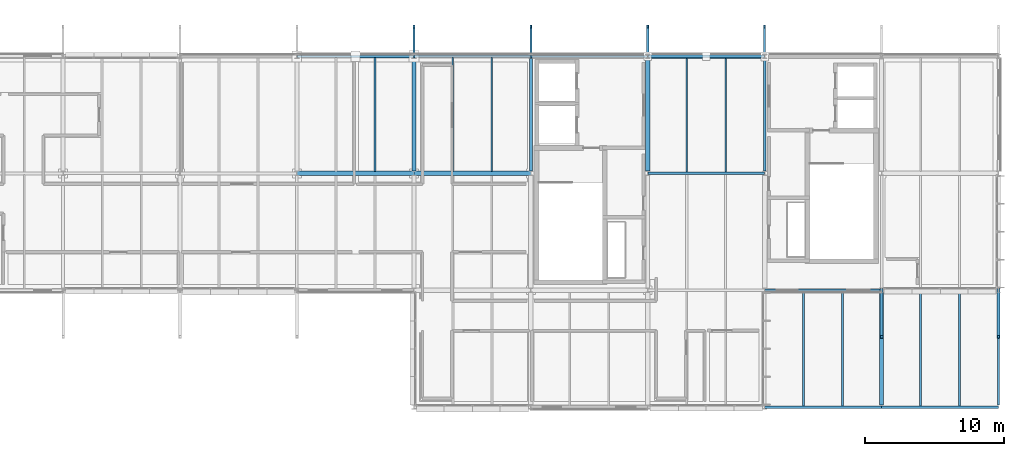
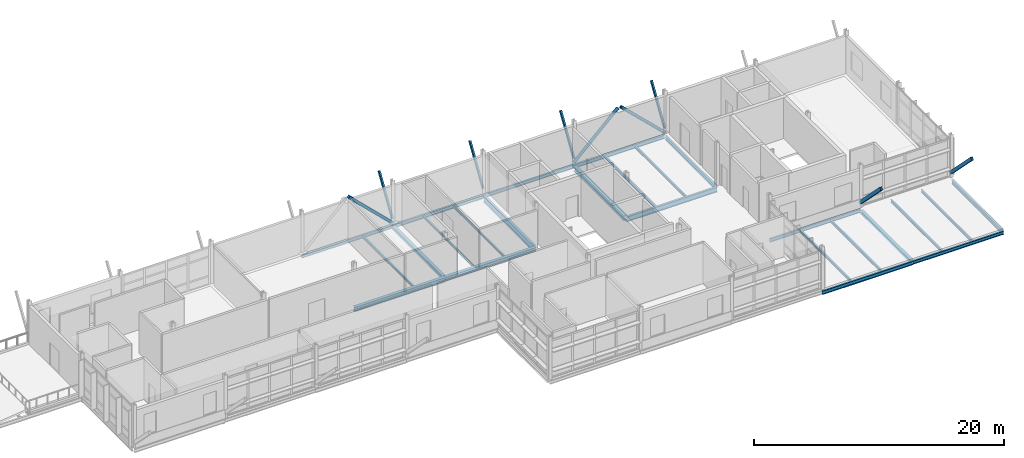
# One storey, part 23 of 35: 25 beams, 9 members.
"""IFC4 building model written with IfcOpenShell, lengths in metres."""

from ifc_helpers import new_model, si_unit, direction, frame, origin, origin_2d, place, context, subcontext, project, spatial, hollow_rectangle, hollow_circle, i_section, extrude, material, material_profile, profile_set, type_object, element, save


model = new_model("IFC4")

# Units and contexts
model_context = context("Model", 3, precision=1e-05, world=origin(), true_north=direction((0.0, 1.0)))
body_context = subcontext(model_context, "Body", "Model", "MODEL_VIEW")
ifc_project = project(units=[si_unit("LENGTHUNIT", "METRE"), si_unit("AREAUNIT", "SQUARE_METRE"), si_unit("VOLUMEUNIT", "CUBIC_METRE"), si_unit("PLANEANGLEUNIT", "RADIAN"), si_unit("MASSUNIT", "GRAM", prefix="KILO")], contexts=[model_context])

# Site, building, storey
site_placement = place(None, origin())
site = spatial("IfcSite", under=ifc_project, at=site_placement, CompositionType="ELEMENT")
building_placement = place(site_placement, origin())
building = spatial("IfcBuilding", under=site, at=building_placement, Name="Mersafa Astral City Hall", CompositionType="ELEMENT")
storey_placement = place(building_placement, frame((0.0, 0.0, 30.14990234375)))
storey = spatial("IfcBuildingStorey", under=building, at=storey_placement, Name="L07", CompositionType="ELEMENT", Elevation=30.14990234375)

# Beams
ifc_material = material(Name="Steel S355", Category="steel")
ifc_material_profile_1 = material_profile(ifc_material, i_section(OverallWidth=0.300048828125, OverallDepth=0.31005859375, WebThickness=0.009033203125, FlangeThickness=0.015380859375, FilletRadius=0.027099609375, at=origin_2d()), Name="HEA 320")
ifc_profile_set_1 = profile_set([ifc_material_profile_1], Name="Steel S355")
beam_type_1 = type_object("IfcBeamType", Name="STR-BM-HEA320", PredefinedType="BEAM", material=ifc_profile_set_1)
beam_1_placement = place(storey_placement, frame((142.800048828125, 117.764892578125, -0.329833984375), z_axis=(0.0, 1.0, 0.0), x_axis=(-1.0, 0.0, 0.0)))
element("IfcBeam", 1, at=beam_1_placement, inside=storey, type_object=beam_type_1, Name="L07 Primary girder Y 17-14", PredefinedType="BEAM", context=body_context, shape_type="SweptSolid", body=[
    extrude(i_section(OverallWidth=0.300048828125, OverallDepth=0.31005859375, WebThickness=0.009033203125, FlangeThickness=0.015380859375, FilletRadius=0.027099609375, at=origin_2d()), origin(), (0.0, 0.0, 1.0), 8.06005859375),
])
ifc_material_profile_2 = material_profile(ifc_material, i_section(OverallWidth=0.300048828125, OverallDepth=0.389892578125, WebThickness=0.010986328125, FlangeThickness=0.01904296875, FilletRadius=0.027099609375, at=origin_2d()), Name="HEA 400")
ifc_profile_set_2 = profile_set([ifc_material_profile_2], Name="Steel S355")
beam_type_2 = type_object("IfcBeamType", Name="STR-BM-HEA400", PredefinedType="BEAM", material=ifc_profile_set_2)
beam_2_placement = place(storey_placement, frame((142.802978515625, 117.60009765625, -0.369873046875), z_axis=(1.0, 0.0, 0.0), x_axis=(0.0, 1.0, 0.0)))
element("IfcBeam", 2, at=beam_2_placement, inside=storey, type_object=beam_type_2, Name="L07 Primary girder X 17-14", PredefinedType="BEAM", context=body_context, shape_type="SweptSolid", body=[
    extrude(i_section(OverallWidth=0.300048828125, OverallDepth=0.389892578125, WebThickness=0.010986328125, FlangeThickness=0.01904296875, FilletRadius=0.027099609375, at=origin_2d()), origin(), (0.0, 0.0, 1.0), 8.39404296875),
])
ifc_material_profile_3 = material_profile(ifc_material, i_section(OverallWidth=0.300048828125, OverallDepth=0.43994140625, WebThickness=0.011474609375, FlangeThickness=0.02099609375, FilletRadius=0.027099609375, at=origin_2d()), Name="HEA 450")
ifc_profile_set_3 = profile_set([ifc_material_profile_3], Name="Steel S355")
beam_type_3 = type_object("IfcBeamType", Name="STR-BM-HEA450", PredefinedType="BEAM", material=ifc_profile_set_3)
beam_3_placement = place(storey_placement, frame((134.403076171875, 117.60009765625, -0.39501953125), z_axis=(1.0, 0.0, 0.0), x_axis=(0.0, 1.0, 0.0)))
element("IfcBeam", 3, at=beam_3_placement, inside=storey, type_object=beam_type_3, Name="L07 Primary girder X 16-14", PredefinedType="BEAM", context=body_context, shape_type="SweptSolid", body=[
    extrude(i_section(OverallWidth=0.300048828125, OverallDepth=0.43994140625, WebThickness=0.011474609375, FlangeThickness=0.02099609375, FilletRadius=0.027099609375, at=origin_2d()), origin(), (0.0, 0.0, 1.0), 8.39404296875),
])
ifc_material_profile_4 = material_profile(ifc_material, i_section(OverallWidth=0.300048828125, OverallDepth=0.489990234375, WebThickness=0.011962890625, FlangeThickness=0.02294921875, FilletRadius=0.027099609375, at=origin_2d()), Name="HEA 500")
ifc_profile_set_4 = profile_set([ifc_material_profile_4], Name="Steel S355")
beam_type_4 = type_object("IfcBeamType", Name="STR-BM-HEA500", PredefinedType="BEAM", material=ifc_profile_set_4)
beam_4_placement = place(storey_placement, frame((159.60009765625, 117.764892578125, -0.419921875), z_axis=(0.0, 1.0, 0.0), x_axis=(-1.0, 0.0, 0.0)))
element("IfcBeam", 4, at=beam_4_placement, inside=storey, type_object=beam_type_4, Name="L07 Primary girder Y 19-14", PredefinedType="BEAM", context=body_context, shape_type="SweptSolid", body=[
    extrude(i_section(OverallWidth=0.300048828125, OverallDepth=0.489990234375, WebThickness=0.011962890625, FlangeThickness=0.02294921875, FilletRadius=0.027099609375, at=origin_2d()), origin(), (0.0, 0.0, 1.0), 8.06005859375),
])
ifc_material_profile_5 = material_profile(ifc_material, i_section(OverallWidth=0.179931640625, OverallDepth=0.39990234375, WebThickness=0.008544921875, FlangeThickness=0.013427734375, FilletRadius=0.02099609375, at=origin_2d()), Name="IPE 400")
ifc_profile_set_5 = profile_set([ifc_material_profile_5], Name="Steel S355")
beam_type_5 = type_object("IfcBeamType", Name="STR-BM-IPE400", PredefinedType="BEAM", material=ifc_profile_set_5)
beam_5_placement = place(storey_placement, frame((168.0, 117.77490234375, -0.375), z_axis=(0.0, 1.0, 0.0), x_axis=(-1.0, 0.0, 0.0)))
element("IfcBeam", 5, at=beam_5_placement, inside=storey, type_object=beam_type_5, Name="L07 Primary girder Y 20-14", PredefinedType="BEAM", context=body_context, shape_type="SweptSolid", body=[
    extrude(i_section(OverallWidth=0.179931640625, OverallDepth=0.39990234375, WebThickness=0.008544921875, FlangeThickness=0.013427734375, FilletRadius=0.02099609375, at=origin_2d()), origin(), (0.0, 0.0, 1.0), 8.06005859375),
])
ifc_material_profile_6 = material_profile(ifc_material, i_section(OverallWidth=0.199951171875, OverallDepth=0.5, WebThickness=0.01025390625, FlangeThickness=0.01611328125, FilletRadius=0.02099609375, at=origin_2d()), Name="IPE 500")
ifc_profile_set_6 = profile_set([ifc_material_profile_6], Name="Steel S355")
beam_type_6 = type_object("IfcBeamType", Name="STR-BM-IPE500", PredefinedType="BEAM", material=ifc_profile_set_6)
beam_6_placement = place(storey_placement, frame((159.60302734375, 117.60009765625, -0.4248046875), z_axis=(1.0, 0.0, 0.0), x_axis=(0.0, 1.0, 0.0)))
element("IfcBeam", 6, at=beam_6_placement, inside=storey, type_object=beam_type_6, Name="L07 Primary girder X 19-14", PredefinedType="BEAM", context=body_context, shape_type="SweptSolid", body=[
    extrude(i_section(OverallWidth=0.199951171875, OverallDepth=0.5, WebThickness=0.01025390625, FlangeThickness=0.01611328125, FilletRadius=0.02099609375, at=origin_2d()), origin(), (0.0, 0.0, 1.0), 8.39404296875),
])
ifc_material_profile_7 = material_profile(ifc_material, i_section(OverallWidth=0.219970703125, OverallDepth=0.60009765625, WebThickness=0.011962890625, FlangeThickness=0.01904296875, FilletRadius=0.02392578125, at=origin_2d()), Name="IPE 600")
ifc_profile_set_7 = profile_set([ifc_material_profile_7], Name="Steel S355")
beam_type_7 = type_object("IfcBeamType", Name="STR-BM-IPE600", PredefinedType="BEAM", material=ifc_profile_set_7)
beam_7_placement = place(storey_placement, frame((151.199951171875, 117.77490234375, -0.474853515625), z_axis=(0.0, 1.0, 0.0), x_axis=(-1.0, 0.0, 0.0)))
element("IfcBeam", 7, at=beam_7_placement, inside=storey, type_object=beam_type_7, Name="L07 Primary girder Y 18-14", PredefinedType="BEAM", context=body_context, shape_type="SweptSolid", body=[
    extrude(i_section(OverallWidth=0.219970703125, OverallDepth=0.60009765625, WebThickness=0.011962890625, FlangeThickness=0.01904296875, FilletRadius=0.02392578125, at=origin_2d()), origin(), (0.0, 0.0, 1.0), 8.06005859375),
])
ifc_material_profile_8 = material_profile(ifc_material, i_section(OverallWidth=0.110107421875, OverallDepth=0.219970703125, WebThickness=0.005859375, FlangeThickness=0.00927734375, FilletRadius=0.011962890625, at=origin_2d()), Name="IPE 220")
ifc_profile_set_8 = profile_set([ifc_material_profile_8], Name="Steel S355")
beam_type_8 = type_object("IfcBeamType", Name="STR-BM-JOIST-IPE220", PredefinedType="JOIST", material=ifc_profile_set_8)
for number, where, z_axis, x_axis, name in (
    (8, (145.60009765625, 117.7451171875, -0.284912109375), (0.0, 1.0, 0.0), (-1.0, 0.0, 0.0), "L07 Composite secondary floor joist 908"),
    (9, (148.39990234375, 117.7451171875, -0.284912109375), (0.0, 1.0, 0.0), (-1.0, 0.0, 0.0), "L07 Composite secondary floor joist 909"),
):
    element("IfcBeam", number, at=place(storey_placement, frame(where, z_axis=z_axis, x_axis=x_axis)), inside=storey, type_object=beam_type_8, Name=name, PredefinedType="JOIST", context=body_context, shape_type="SweptSolid", body=[
        extrude(i_section(OverallWidth=0.110107421875, OverallDepth=0.219970703125, WebThickness=0.005859375, FlangeThickness=0.00927734375, FilletRadius=0.011962890625, at=origin_2d()), origin(), (0.0, 0.0, 1.0), 8.1748046875),
    ])
ifc_material_profile_9 = material_profile(ifc_material, i_section(OverallWidth=0.1201171875, OverallDepth=0.239990234375, WebThickness=0.006103515625, FlangeThickness=0.009765625, FilletRadius=0.014892578125, at=origin_2d()), Name="IPE 240")
ifc_profile_set_9 = profile_set([ifc_material_profile_9], Name="Steel S355")
beam_type_9 = type_object("IfcBeamType", Name="STR-BM-JOIST-IPE240", PredefinedType="JOIST", material=ifc_profile_set_9)
beam_8_placement = place(storey_placement, frame((140.0, 117.7451171875, -0.294921875), z_axis=(0.0, 1.0, 0.0), x_axis=(-1.0, 0.0, 0.0)))
element("IfcBeam", 10, at=beam_8_placement, inside=storey, type_object=beam_type_9, Name="L07 Composite secondary floor joist 903", PredefinedType="JOIST", context=body_context, shape_type="SweptSolid", body=[
    extrude(i_section(OverallWidth=0.1201171875, OverallDepth=0.239990234375, WebThickness=0.006103515625, FlangeThickness=0.009765625, FilletRadius=0.014892578125, at=origin_2d()), origin(), (0.0, 0.0, 1.0), 8.179931640625),
])
ifc_material_profile_10 = material_profile(ifc_material, i_section(OverallWidth=0.135009765625, OverallDepth=0.27001953125, WebThickness=0.006591796875, FlangeThickness=0.01025390625, FilletRadius=0.014892578125, at=origin_2d()), Name="IPE 270")
ifc_profile_set_10 = profile_set([ifc_material_profile_10], Name="Steel S355")
beam_type_10 = type_object("IfcBeamType", Name="STR-BM-JOIST-IPE270", PredefinedType="JOIST", material=ifc_profile_set_10)
for number, where, z_axis, x_axis, name in (
    (11, (162.39990234375, 117.695068359375, -0.309814453125), (0.0, 1.0, 0.0), (-1.0, 0.0, 0.0), "L07 Composite secondary floor joist 916"),
    (12, (165.199951171875, 117.695068359375, -0.309814453125), (0.0, 1.0, 0.0), (-1.0, 0.0, 0.0), "L07 Composite secondary floor joist 917"),
):
    element("IfcBeam", number, at=place(storey_placement, frame(where, z_axis=z_axis, x_axis=x_axis)), inside=storey, type_object=beam_type_10, Name=name, PredefinedType="JOIST", context=body_context, shape_type="SweptSolid", body=[
        extrude(i_section(OverallWidth=0.135009765625, OverallDepth=0.27001953125, WebThickness=0.006591796875, FlangeThickness=0.01025390625, FilletRadius=0.014892578125, at=origin_2d()), origin(), (0.0, 0.0, 1.0), 8.224853515625),
    ])
for number, where, z_axis, x_axis, name in (
    (13, (170.800048828125, 100.8798828125, -0.3349609375), (0.0, 1.0, 0.0), (-1.0, 0.0, 0.0), "L07 Flat roof secondary joist 11"),
    (14, (173.60009765625, 100.8798828125, -0.3349609375), (0.0, 1.0, 0.0), (-1.0, 0.0, 0.0), "L07 Flat roof secondary joist 12"),
    (15, (179.199951171875, 100.875, -0.3349609375), (0.0, 1.0, 0.0), (-1.0, 0.0, 0.0), "L07 Flat roof secondary joist 13"),
    (16, (182.0, 100.875, -0.3349609375), (0.0, 1.0, 0.0), (-1.0, 0.0, 0.0), "L07 Flat roof secondary joist 14"),
):
    element("IfcBeam", number, at=place(storey_placement, frame(where, z_axis=z_axis, x_axis=x_axis)), inside=storey, type_object=beam_type_10, Name=name, PredefinedType="JOIST", context=body_context, shape_type="SweptSolid", body=[
        extrude(i_section(OverallWidth=0.135009765625, OverallDepth=0.27001953125, WebThickness=0.006591796875, FlangeThickness=0.01025390625, FilletRadius=0.014892578125, at=origin_2d()), origin(), (0.0, 0.0, 1.0), 8.2451171875),
    ])
ifc_material_profile_11 = material_profile(ifc_material, i_section(OverallWidth=0.280029296875, OverallDepth=0.27001953125, WebThickness=0.008056640625, FlangeThickness=0.012939453125, FilletRadius=0.02392578125, at=origin_2d()), Name="HEA 280")
ifc_profile_set_11 = profile_set([ifc_material_profile_11], Name="Steel S355")
beam_type_11 = type_object("IfcBeamType", Name="STR-BM-SPANDREL-HEA280", PredefinedType="SPANDREL", material=ifc_profile_set_11)
beam_9_placement = place(storey_placement, frame((176.39990234375, 100.945068359375, -0.3349609375), z_axis=(0.0, 1.0, 0.0), x_axis=(-1.0, 0.0, 0.0)))
element("IfcBeam", 17, at=beam_9_placement, inside=storey, type_object=beam_type_11, Name="L07 Primary girder Y 21-12", PredefinedType="SPANDREL", context=body_context, shape_type="SweptSolid", body=[
    extrude(i_section(OverallWidth=0.280029296875, OverallDepth=0.27001953125, WebThickness=0.008056640625, FlangeThickness=0.012939453125, FilletRadius=0.02392578125, at=origin_2d()), origin(), (0.0, 0.0, 1.0), 8.079833984375),
])
ifc_material_profile_12 = material_profile(ifc_material, i_section(OverallWidth=0.159912109375, OverallDepth=0.330078125, WebThickness=0.007568359375, FlangeThickness=0.011474609375, FilletRadius=0.01806640625, at=origin_2d()), Name="IPE 330")
ifc_profile_set_12 = profile_set([ifc_material_profile_12], Name="Steel S355")
beam_type_12 = type_object("IfcBeamType", Name="STR-BM-SPANDREL-IPE330", PredefinedType="SPANDREL", material=ifc_profile_set_12)
for number, where, z_axis, x_axis, name in (
    (18, (176.403076171875, 100.800048828125, -0.364990234375), (1.0, 0.0, 0.0), (0.0, 1.0, 0.0), "L07 Primary girder X 21-12"),
    (19, (168.0029296875, 109.199951171875, -0.364990234375), (1.0, 0.0, 0.0), (0.0, 1.0, 0.0), "L07 Primary girder X 20-13"),
    (20, (134.403076171875, 126.0, -0.33984375), (1.0, 0.0, 0.0), (0.0, 1.0, 0.0), "L07 Primary girder X 16-15"),
    (21, (151.202880859375, 126.0, -0.33984375), (1.0, 0.0, 0.0), (0.0, 1.0, 0.0), "L07 Primary girder X 18-15"),
):
    element("IfcBeam", number, at=place(storey_placement, frame(where, z_axis=z_axis, x_axis=x_axis)), inside=storey, type_object=beam_type_12, Name=name, PredefinedType="SPANDREL", context=body_context, shape_type="SweptSolid", body=[
        extrude(i_section(OverallWidth=0.159912109375, OverallDepth=0.330078125, WebThickness=0.007568359375, FlangeThickness=0.011474609375, FilletRadius=0.01806640625, at=origin_2d()), origin(), (0.0, 0.0, 1.0), 8.39404296875),
    ])
ifc_material_profile_13 = material_profile(ifc_material, i_section(OverallWidth=0.169921875, OverallDepth=0.360107421875, WebThickness=0.008056640625, FlangeThickness=0.0126953125, FilletRadius=0.01806640625, at=origin_2d()), Name="IPE 360")
ifc_profile_set_13 = profile_set([ifc_material_profile_13], Name="Steel S355")
beam_type_13 = type_object("IfcBeamType", Name="STR-BM-SPANDREL-IPE360", PredefinedType="SPANDREL", material=ifc_profile_set_13)
for number, where, z_axis, x_axis, name in (
    (22, (168.0029296875, 100.800048828125, -0.3798828125), (1.0, 0.0, 0.0), (0.0, 1.0, 0.0), "L07 Primary girder X 20-12"),
    (23, (142.802978515625, 126.0, -0.35498046875), (1.0, 0.0, 0.0), (0.0, 1.0, 0.0), "L07 Primary girder X 17-15"),
    (24, (159.60302734375, 126.0, -0.35498046875), (1.0, 0.0, 0.0), (0.0, 1.0, 0.0), "L07 Primary girder X 19-15"),
):
    element("IfcBeam", number, at=place(storey_placement, frame(where, z_axis=z_axis, x_axis=x_axis)), inside=storey, type_object=beam_type_13, Name=name, PredefinedType="SPANDREL", context=body_context, shape_type="SweptSolid", body=[
        extrude(i_section(OverallWidth=0.169921875, OverallDepth=0.360107421875, WebThickness=0.008056640625, FlangeThickness=0.0126953125, FilletRadius=0.01806640625, at=origin_2d()), origin(), (0.0, 0.0, 1.0), 8.39404296875),
    ])
beam_10_placement = place(storey_placement, frame((184.800048828125, 100.945068359375, -0.3798828125), z_axis=(0.0, 1.0, 0.0), x_axis=(-1.0, 0.0, 0.0)))
element("IfcBeam", 25, at=beam_10_placement, inside=storey, type_object=beam_type_13, Name="L07 Primary girder Y 22-12", PredefinedType="SPANDREL", context=body_context, shape_type="SweptSolid", body=[
    extrude(i_section(OverallWidth=0.169921875, OverallDepth=0.360107421875, WebThickness=0.008056640625, FlangeThickness=0.0126953125, FilletRadius=0.01806640625, at=origin_2d()), origin(), (0.0, 0.0, 1.0), 8.08984375),
])

# Members
ifc_material_profile_14 = material_profile(ifc_material, hollow_circle(Radius=0.136474609375, WallThickness=0.012451171875, at=origin_2d()), Name="CHS 273x12.5")
ifc_profile_set_14 = profile_set([ifc_material_profile_14], Name="Steel S355")
member_type_1 = type_object("IfcMemberType", Name="STR-MBR-BRACE-CHS273", PredefinedType="BRACE", material=ifc_profile_set_14)
for number, where, z_axis, x_axis, name in (
    (26, (159.597900390625, 126.0, 0.02001953125), (0.719558678268, 0.0, 0.694431644245), (0.0, 1.0, 0.0), "L07 Chevron lateral brace 30A"),
    (27, (168.001953125, 126.0, 0.02001953125), (-0.719558678268, 0.0, 0.694431644245), (0.0, -1.0, 0.0), "L07 Chevron lateral brace 30B"),
):
    element("IfcMember", number, at=place(storey_placement, frame(where, z_axis=z_axis, x_axis=x_axis)), inside=storey, type_object=member_type_1, Name=name, PredefinedType="BRACE", context=body_context, shape_type="SweptSolid", body=[
        extrude(hollow_circle(Radius=0.136474609375, WallThickness=0.012451171875, at=origin_2d()), origin(), (0.0, 0.0, 1.0), 5.645263671875),
    ])
ifc_material_profile_15 = material_profile(ifc_material, hollow_rectangle(XDim=0.14990234375, YDim=0.25, WallThickness=0.010009765625, at=origin_2d()), Name="RHS 150x250x10")
ifc_profile_set_15 = profile_set([ifc_material_profile_15], Name="Steel S355")
member_type_2 = type_object("IfcMemberType", Name="STR-MBR-STRUT-RHS150X250", PredefinedType="BRACE", material=ifc_profile_set_15)
for number, where, z_axis, x_axis, name in (
    (28, (142.800048828125, 126.0, 0.400146484375), (0.0, 0.535580111443, 0.844484425094), (-1.0, 0.0, 0.0), "L07 Raked cosmic eave strut ROOF-T6-V6 N-17"),
    (29, (151.199951171875, 126.0, 0.400146484375), (0.0, 0.535580111443, 0.844484425094), (-1.0, 0.0, 0.0), "L07 Raked cosmic eave strut ROOF-T6-V6 N-18"),
    (30, (159.60009765625, 126.0, 0.400146484375), (0.0, 0.535580111443, 0.844484425094), (-1.0, 0.0, 0.0), "L07 Raked cosmic eave strut ROOF-T6-V6 N-19"),
    (31, (168.0, 126.0, 0.400146484375), (0.0, 0.535580111443, 0.844484425094), (-1.0, 0.0, 0.0), "L07 Raked cosmic eave strut ROOF-T6-V6 N-20"),
):
    element("IfcMember", number, at=place(storey_placement, frame(where, z_axis=z_axis, x_axis=x_axis)), inside=storey, type_object=member_type_2, Name=name, PredefinedType="BRACE", context=body_context, shape_type="SweptSolid", body=[
        extrude(hollow_rectangle(XDim=0.14990234375, YDim=0.25, WallThickness=0.010009765625, at=origin_2d()), origin(), (0.0, 0.0, 1.0), 4.01416015625),
    ])
ifc_material_profile_16 = material_profile(ifc_material, hollow_rectangle(XDim=0.199951171875, YDim=0.300048828125, WallThickness=0.012451171875, at=origin_2d()), Name="RHS 200x300x12.5")
ifc_profile_set_16 = profile_set([ifc_material_profile_16], Name="Steel S355")
member_type_3 = type_object("IfcMemberType", Name="STR-MBR-STRUT-RHS200X300", PredefinedType="BRACE", material=ifc_profile_set_16)
for number, where, z_axis, x_axis, name in (
    (32, (176.39990234375, 109.199951171875, 0.400146484375), (0.0, -0.702893642121, 0.711294965444), (1.0, 0.0, 0.0), "L07 Raked cosmic eave strut ROOF-T6-V6 S-21"),
    (33, (184.800048828125, 109.199951171875, 0.400146484375), (0.0, -0.702893642121, 0.711294965444), (1.0, 0.0, 0.0), "L07 Raked cosmic eave strut ROOF-T6-V6 S-22"),
):
    element("IfcMember", number, at=place(storey_placement, frame(where, z_axis=z_axis, x_axis=x_axis)), inside=storey, type_object=member_type_3, Name=name, PredefinedType="BRACE", context=body_context, shape_type="SweptSolid", body=[
        extrude(hollow_rectangle(XDim=0.199951171875, YDim=0.300048828125, WallThickness=0.012451171875, at=origin_2d()), origin(), (0.0, 0.0, 1.0), 4.765869140625),
    ])
ifc_material_profile_17 = material_profile(ifc_material, hollow_rectangle(XDim=0.25, YDim=0.25, WallThickness=0.012451171875, at=origin_2d()), Name="RHS 250x250x12.5")
ifc_profile_set_17 = profile_set([ifc_material_profile_17], Name="Steel S355")
member_type_4 = type_object("IfcMemberType", Name="STR-MBR-STRUT-RHS250", PredefinedType="BRACE", material=ifc_profile_set_17)
member_placement = place(storey_placement, frame((142.802001953125, 126.0, 0.02001953125), z_axis=(-0.716905180934, 0.0, 0.697170683226), x_axis=(0.0, -1.0, 0.0)))
element("IfcMember", 34, at=member_placement, inside=storey, type_object=member_type_4, Name="L07 Chevron lateral brace 21B", PredefinedType="BRACE", context=body_context, shape_type="SweptSolid", body=[
    extrude(hollow_rectangle(XDim=0.25, YDim=0.25, WallThickness=0.012451171875, at=origin_2d()), origin(), (0.0, 0.0, 1.0), 5.666015625),
])

save(model, "model.ifc")
